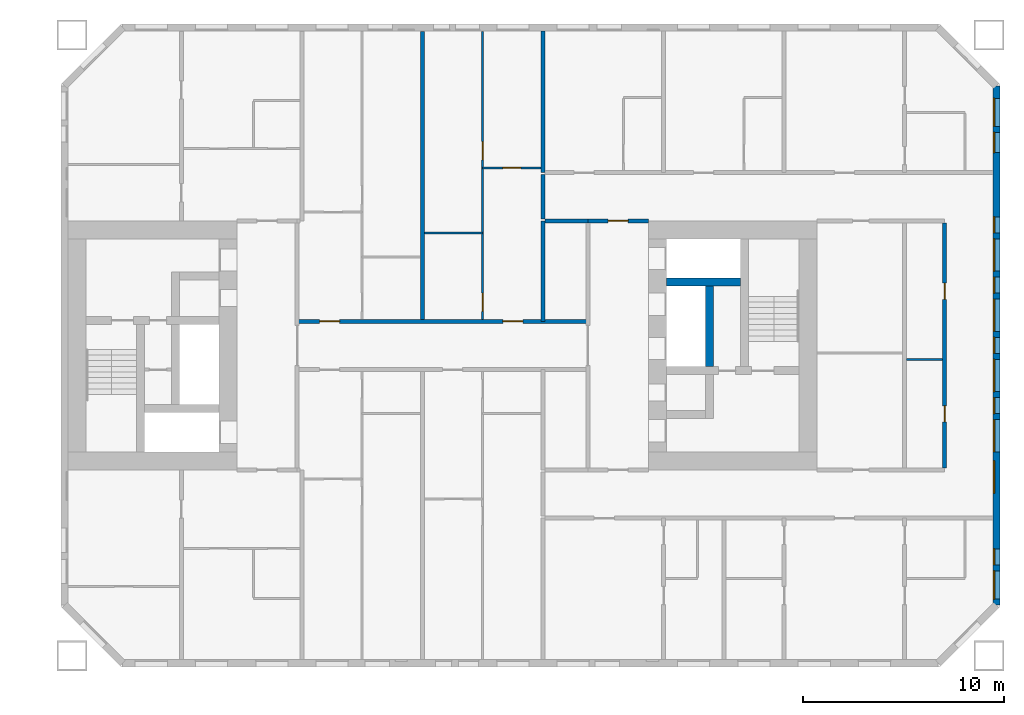
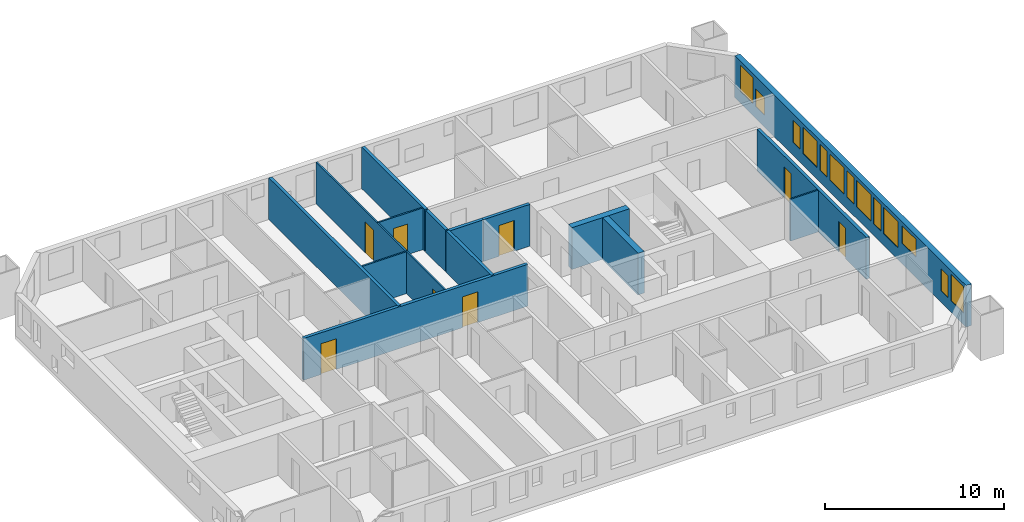
# One storey, part 14 of 18: 15 walls, 13 windows, 8 doors, 21 openings.
"""IFC4 building model written with IfcOpenShell, lengths in metres."""

from ifc_helpers import new_model, si_unit, direction, frame, frame_2d, origin, place, context, subcontext, project, spatial, rectangle, extrude, material, layer, layer_set, type_object, element, fill, save


model = new_model("IFC4")

# Units and contexts
model_context = context("Model", 3, precision=1e-05, world=origin(), true_north=direction((0.0, 1.0)))
body_context = subcontext(model_context, "Body", "Model", "MODEL_VIEW")
ifc_project = project(units=[si_unit("LENGTHUNIT", "METRE"), si_unit("AREAUNIT", "SQUARE_METRE"), si_unit("VOLUMEUNIT", "CUBIC_METRE"), si_unit("PLANEANGLEUNIT", "RADIAN"), si_unit("MASSUNIT", "GRAM", prefix="KILO")], contexts=[model_context])

# Site, building, storey
site_placement = place(None, origin())
site = spatial("IfcSite", under=ifc_project, at=site_placement, CompositionType="ELEMENT")
building_placement = place(site_placement, origin())
building = spatial("IfcBuilding", under=site, at=building_placement, Name="Tuart Gate Housing", CompositionType="ELEMENT")
storey_placement = place(building_placement, frame((0.0, 0.0, 31.89990234375)))
storey = spatial("IfcBuildingStorey", under=building, at=storey_placement, Name="L08", CompositionType="ELEMENT", Elevation=31.89990234375)

# Wall, openings, windows
ifc_material_1 = material(Name="Brick", Category="masonry")
ifc_layer_1 = layer(ifc_material_1, 0.360107421875)
ifc_layer_set_1 = layer_set([ifc_layer_1], Name="Brick pier and spandrel wall 360")
wall_type_1 = type_object("IfcWallType", Name="Brick pier and spandrel wall 360", PredefinedType="STANDARD", material=ifc_layer_set_1)
wall_1_placement = place(storey_placement, frame((177.570068359375, 57.07470703125, 0.0), z_axis=(0.0, 0.0, 1.0), x_axis=(0.0, 1.0, 0.0)))
wall_1 = element("IfcWall", 1, at=wall_1_placement, inside=storey, type_object=wall_type_1, Name="External wall B-E L08", PredefinedType="STANDARD", context=body_context, shape_type="SweptSolid", body=[
    extrude(rectangle(XDim=25.850830078125, YDim=0.360107421875, at=frame_2d((12.92529296875, 0.0))), origin(), (0.0, 0.0, 1.0), 2.85009765625),
])
opening_1_placement = place(wall_1_placement, frame((0.300048828125, 0.0, 0.800048828125)))
opening_1 = element("IfcOpeningElement", 2, at=opening_1_placement, cuts=wall_1, Name="Opening W1A", PredefinedType="OPENING", context=body_context, shape_type="SweptSolid", body=[
    extrude(rectangle(XDim=1.39990234375, YDim=1.800048828125, at=frame_2d((0.699951171875, 0.89990234375))), frame((0.0, 0.18994140625, 0.0), z_axis=(0.0, -1.0, 0.0), x_axis=(1.0, 0.0, 0.0)), (0.0, 0.0, 1.0), 0.380126953125),
])
opening_2_placement = place(wall_1_placement, frame((5.575439453125, 0.0, 1.39990234375)))
opening_2 = element("IfcOpeningElement", 3, at=opening_2_placement, cuts=wall_1, Name="Opening W1L", PredefinedType="OPENING", context=body_context, shape_type="SweptSolid", body=[
    extrude(rectangle(XDim=1.60009765625, YDim=1.199951171875, at=frame_2d((0.800048828125, 0.60009765625))), frame((0.0, 0.18994140625, 0.0), z_axis=(0.0, -1.0, 0.0), x_axis=(1.0, 0.0, 0.0)), (0.0, 0.0, 1.0), 0.380126953125),
])
opening_3_placement = place(wall_1_placement, frame((7.62548828125, 0.0, 0.800048828125)))
opening_3 = element("IfcOpeningElement", 4, at=opening_3_placement, cuts=wall_1, Name="Opening W1", PredefinedType="OPENING", context=body_context, shape_type="SweptSolid", body=[
    extrude(rectangle(XDim=1.60009765625, YDim=1.800048828125, at=frame_2d((0.800048828125, 0.89990234375))), frame((0.0, 0.18994140625, 0.0), z_axis=(0.0, -1.0, 0.0), x_axis=(1.0, 0.0, 0.0)), (0.0, 0.0, 1.0), 0.380126953125),
])
opening_4_placement = place(wall_1_placement, frame((10.62548828125, 0.0, 0.800048828125)))
opening_4 = element("IfcOpeningElement", 5, at=opening_4_placement, cuts=wall_1, Name="Opening W1", PredefinedType="OPENING", context=body_context, shape_type="SweptSolid", body=[
    extrude(rectangle(XDim=1.60009765625, YDim=1.800048828125, at=frame_2d((0.800048828125, 0.89990234375))), frame((0.0, 0.18994140625, 0.0), z_axis=(0.0, -1.0, 0.0), x_axis=(1.0, 0.0, 0.0)), (0.0, 0.0, 1.0), 0.380126953125),
])
opening_5_placement = place(wall_1_placement, frame((13.62548828125, 0.0, 0.800048828125)))
opening_5 = element("IfcOpeningElement", 6, at=opening_5_placement, cuts=wall_1, Name="Opening W1", PredefinedType="OPENING", context=body_context, shape_type="SweptSolid", body=[
    extrude(rectangle(XDim=1.60009765625, YDim=1.800048828125, at=frame_2d((0.800048828125, 0.89990234375))), frame((0.0, 0.18994140625, 0.0), z_axis=(0.0, -1.0, 0.0), x_axis=(1.0, 0.0, 0.0)), (0.0, 0.0, 1.0), 0.380126953125),
])
opening_6_placement = place(wall_1_placement, frame((16.62548828125, 0.0, 0.800048828125)))
opening_6 = element("IfcOpeningElement", 7, at=opening_6_placement, cuts=wall_1, Name="Opening W1", PredefinedType="OPENING", context=body_context, shape_type="SweptSolid", body=[
    extrude(rectangle(XDim=1.60009765625, YDim=1.800048828125, at=frame_2d((0.800048828125, 0.89990234375))), frame((0.0, 0.18994140625, 0.0), z_axis=(0.0, -1.0, 0.0), x_axis=(1.0, 0.0, 0.0)), (0.0, 0.0, 1.0), 0.380126953125),
])
opening_7_placement = place(wall_1_placement, frame((9.525390625, 0.0, 0.800048828125)))
opening_7 = element("IfcOpeningElement", 8, at=opening_7_placement, cuts=wall_1, Name="Opening W1D", PredefinedType="OPENING", context=body_context, shape_type="SweptSolid", body=[
    extrude(rectangle(XDim=0.800048828125, YDim=1.800048828125, at=frame_2d((0.39990234375, 0.89990234375))), frame((0.0, 0.18994140625, 0.0), z_axis=(0.0, -1.0, 0.0), x_axis=(1.0, 0.0, 0.0)), (0.0, 0.0, 1.0), 0.380126953125),
])
opening_8_placement = place(wall_1_placement, frame((22.525390625, 0.0, 0.800048828125)))
opening_8 = element("IfcOpeningElement", 9, at=opening_8_placement, cuts=wall_1, Name="Opening W1O", PredefinedType="OPENING", context=body_context, shape_type="SweptSolid", body=[
    extrude(rectangle(XDim=1.0, YDim=1.199951171875, at=frame_2d((0.5, 0.60009765625))), frame((0.0, 0.18994140625, 0.0), z_axis=(0.0, -1.0, 0.0), x_axis=(1.0, 0.0, 0.0)), (0.0, 0.0, 1.0), 0.380126953125),
])
opening_9_placement = place(wall_1_placement, frame((2.0, 0.0, 0.800048828125)))
opening_9 = element("IfcOpeningElement", 10, at=opening_9_placement, cuts=wall_1, Name="Opening W1J", PredefinedType="OPENING", context=body_context, shape_type="SweptSolid", body=[
    extrude(rectangle(XDim=0.800048828125, YDim=1.5, at=frame_2d((0.39990234375, 0.75))), frame((0.0, 0.18994140625, 0.0), z_axis=(0.0, -1.0, 0.0), x_axis=(1.0, 0.0, 0.0)), (0.0, 0.0, 1.0), 0.380126953125),
])
opening_10_placement = place(wall_1_placement, frame((12.525390625, 0.0, 0.800048828125)))
opening_10 = element("IfcOpeningElement", 11, at=opening_10_placement, cuts=wall_1, Name="Opening W1D", PredefinedType="OPENING", context=body_context, shape_type="SweptSolid", body=[
    extrude(rectangle(XDim=0.800048828125, YDim=1.800048828125, at=frame_2d((0.39990234375, 0.89990234375))), frame((0.0, 0.18994140625, 0.0), z_axis=(0.0, -1.0, 0.0), x_axis=(1.0, 0.0, 0.0)), (0.0, 0.0, 1.0), 0.380126953125),
])
opening_11_placement = place(wall_1_placement, frame((15.525390625, 0.0, 0.800048828125)))
opening_11 = element("IfcOpeningElement", 12, at=opening_11_placement, cuts=wall_1, Name="Opening W1D", PredefinedType="OPENING", context=body_context, shape_type="SweptSolid", body=[
    extrude(rectangle(XDim=0.800048828125, YDim=1.800048828125, at=frame_2d((0.39990234375, 0.89990234375))), frame((0.0, 0.18994140625, 0.0), z_axis=(0.0, -1.0, 0.0), x_axis=(1.0, 0.0, 0.0)), (0.0, 0.0, 1.0), 0.380126953125),
])
opening_12_placement = place(wall_1_placement, frame((18.525390625, 0.0, 0.89990234375)))
opening_12 = element("IfcOpeningElement", 13, at=opening_12_placement, cuts=wall_1, Name="Opening W1J", PredefinedType="OPENING", context=body_context, shape_type="SweptSolid", body=[
    extrude(rectangle(XDim=0.800048828125, YDim=1.5, at=frame_2d((0.39990234375, 0.75))), frame((0.0, 0.18994140625, 0.0), z_axis=(0.0, -1.0, 0.0), x_axis=(1.0, 0.0, 0.0)), (0.0, 0.0, 1.0), 0.380126953125),
])
opening_13_placement = place(wall_1_placement, frame((23.825439453125, 0.0, 0.800048828125)))
opening_13 = element("IfcOpeningElement", 14, at=opening_13_placement, cuts=wall_1, Name="Opening W1A", PredefinedType="OPENING", context=body_context, shape_type="SweptSolid", body=[
    extrude(rectangle(XDim=1.39990234375, YDim=1.800048828125, at=frame_2d((0.699951171875, 0.89990234375))), frame((0.0, 0.18994140625, 0.0), z_axis=(0.0, -1.0, 0.0), x_axis=(1.0, 0.0, 0.0)), (0.0, 0.0, 1.0), 0.380126953125),
])
ifc_material_2 = material(Name="Aluminium frame with clear glass", Category="aluminium")
window_type_1 = type_object("IfcWindowType", Name="Punched window 1000 x 1200", PartitioningType="SINGLE_PANEL", PredefinedType="WINDOW", material=ifc_material_2)
window_1_placement = place(opening_8_placement, origin())
window_1 = element("IfcWindow", 15, at=window_1_placement, inside=storey, type_object=window_type_1, Name="Window W1O", OverallHeight=1.199951171875, OverallWidth=1.0, PartitioningType="SINGLE_PANEL", PredefinedType="WINDOW", context=body_context, shape_type="SweptSolid", body=[
    extrude(rectangle(XDim=1.0, YDim=1.199951171875, at=frame_2d((0.5, 0.60009765625))), frame((0.0, 0.150146484375, 0.0), z_axis=(0.0, -1.0, 0.0), x_axis=(1.0, 0.0, 0.0)), (0.0, 0.0, 1.0), 0.06005859375),
])
fill(opening_8, window_1)
ifc_material_3 = material(Name="Aluminium frame with clear glass", Category="aluminium")
window_type_2 = type_object("IfcWindowType", Name="Punched window 1400 x 1800", PartitioningType="SINGLE_PANEL", PredefinedType="WINDOW", material=ifc_material_3)
window_2_placement = place(opening_1_placement, origin())
window_2 = element("IfcWindow", 16, at=window_2_placement, inside=storey, type_object=window_type_2, Name="Window W1A", OverallHeight=1.800048828125, OverallWidth=1.39990234375, PartitioningType="SINGLE_PANEL", PredefinedType="WINDOW", context=body_context, shape_type="SweptSolid", body=[
    extrude(rectangle(XDim=1.39990234375, YDim=1.800048828125, at=frame_2d((0.699951171875, 0.89990234375))), frame((0.0, 0.150146484375, 0.0), z_axis=(0.0, -1.0, 0.0), x_axis=(1.0, 0.0, 0.0)), (0.0, 0.0, 1.0), 0.06005859375),
])
fill(opening_1, window_2)
window_3_placement = place(opening_13_placement, origin())
window_3 = element("IfcWindow", 17, at=window_3_placement, inside=storey, type_object=window_type_2, Name="Window W1A", OverallHeight=1.800048828125, OverallWidth=1.39990234375, PartitioningType="SINGLE_PANEL", PredefinedType="WINDOW", context=body_context, shape_type="SweptSolid", body=[
    extrude(rectangle(XDim=1.39990234375, YDim=1.800048828125, at=frame_2d((0.699951171875, 0.89990234375))), frame((0.0, 0.150146484375, 0.0), z_axis=(0.0, -1.0, 0.0), x_axis=(1.0, 0.0, 0.0)), (0.0, 0.0, 1.0), 0.06005859375),
])
fill(opening_13, window_3)
ifc_material_4 = material(Name="Aluminium frame with clear glass", Category="aluminium")
window_type_3 = type_object("IfcWindowType", Name="Punched window 1600 x 1200", PartitioningType="SINGLE_PANEL", PredefinedType="WINDOW", material=ifc_material_4)
window_4_placement = place(opening_2_placement, origin())
window_4 = element("IfcWindow", 18, at=window_4_placement, inside=storey, type_object=window_type_3, Name="Window W1L", OverallHeight=1.199951171875, OverallWidth=1.60009765625, PartitioningType="SINGLE_PANEL", PredefinedType="WINDOW", context=body_context, shape_type="SweptSolid", body=[
    extrude(rectangle(XDim=1.60009765625, YDim=1.199951171875, at=frame_2d((0.800048828125, 0.60009765625))), frame((0.0, 0.150146484375, 0.0), z_axis=(0.0, -1.0, 0.0), x_axis=(1.0, 0.0, 0.0)), (0.0, 0.0, 1.0), 0.06005859375),
])
fill(opening_2, window_4)
ifc_material_5 = material(Name="Aluminium frame with clear glass", Category="aluminium")
window_type_4 = type_object("IfcWindowType", Name="Punched window 1600 x 1800", PartitioningType="SINGLE_PANEL", PredefinedType="WINDOW", material=ifc_material_5)
window_5_placement = place(opening_3_placement, origin())
window_5 = element("IfcWindow", 19, at=window_5_placement, inside=storey, type_object=window_type_4, Name="Window W1", OverallHeight=1.800048828125, OverallWidth=1.60009765625, PartitioningType="SINGLE_PANEL", PredefinedType="WINDOW", context=body_context, shape_type="SweptSolid", body=[
    extrude(rectangle(XDim=1.60009765625, YDim=1.800048828125, at=frame_2d((0.800048828125, 0.89990234375))), frame((0.0, 0.150146484375, 0.0), z_axis=(0.0, -1.0, 0.0), x_axis=(1.0, 0.0, 0.0)), (0.0, 0.0, 1.0), 0.06005859375),
])
fill(opening_3, window_5)
window_6_placement = place(opening_4_placement, origin())
window_6 = element("IfcWindow", 20, at=window_6_placement, inside=storey, type_object=window_type_4, Name="Window W1", OverallHeight=1.800048828125, OverallWidth=1.60009765625, PartitioningType="SINGLE_PANEL", PredefinedType="WINDOW", context=body_context, shape_type="SweptSolid", body=[
    extrude(rectangle(XDim=1.60009765625, YDim=1.800048828125, at=frame_2d((0.800048828125, 0.89990234375))), frame((0.0, 0.150146484375, 0.0), z_axis=(0.0, -1.0, 0.0), x_axis=(1.0, 0.0, 0.0)), (0.0, 0.0, 1.0), 0.06005859375),
])
fill(opening_4, window_6)
window_7_placement = place(opening_5_placement, origin())
window_7 = element("IfcWindow", 21, at=window_7_placement, inside=storey, type_object=window_type_4, Name="Window W1", OverallHeight=1.800048828125, OverallWidth=1.60009765625, PartitioningType="SINGLE_PANEL", PredefinedType="WINDOW", context=body_context, shape_type="SweptSolid", body=[
    extrude(rectangle(XDim=1.60009765625, YDim=1.800048828125, at=frame_2d((0.800048828125, 0.89990234375))), frame((0.0, 0.150146484375, 0.0), z_axis=(0.0, -1.0, 0.0), x_axis=(1.0, 0.0, 0.0)), (0.0, 0.0, 1.0), 0.06005859375),
])
fill(opening_5, window_7)
window_8_placement = place(opening_6_placement, origin())
window_8 = element("IfcWindow", 22, at=window_8_placement, inside=storey, type_object=window_type_4, Name="Window W1", OverallHeight=1.800048828125, OverallWidth=1.60009765625, PartitioningType="SINGLE_PANEL", PredefinedType="WINDOW", context=body_context, shape_type="SweptSolid", body=[
    extrude(rectangle(XDim=1.60009765625, YDim=1.800048828125, at=frame_2d((0.800048828125, 0.89990234375))), frame((0.0, 0.150146484375, 0.0), z_axis=(0.0, -1.0, 0.0), x_axis=(1.0, 0.0, 0.0)), (0.0, 0.0, 1.0), 0.06005859375),
])
fill(opening_6, window_8)
ifc_material_6 = material(Name="Aluminium frame with clear glass", Category="aluminium")
window_type_5 = type_object("IfcWindowType", Name="Punched window 800 x 1500", PartitioningType="SINGLE_PANEL", PredefinedType="WINDOW", material=ifc_material_6)
window_9_placement = place(opening_9_placement, origin())
window_9 = element("IfcWindow", 23, at=window_9_placement, inside=storey, type_object=window_type_5, Name="Window W1J", OverallHeight=1.5, OverallWidth=0.800048828125, PartitioningType="SINGLE_PANEL", PredefinedType="WINDOW", context=body_context, shape_type="SweptSolid", body=[
    extrude(rectangle(XDim=0.800048828125, YDim=1.5, at=frame_2d((0.39990234375, 0.75))), frame((0.0, 0.150146484375, 0.0), z_axis=(0.0, -1.0, 0.0), x_axis=(1.0, 0.0, 0.0)), (0.0, 0.0, 1.0), 0.06005859375),
])
fill(opening_9, window_9)
window_10_placement = place(opening_12_placement, origin())
window_10 = element("IfcWindow", 24, at=window_10_placement, inside=storey, type_object=window_type_5, Name="Window W1J", OverallHeight=1.5, OverallWidth=0.800048828125, PartitioningType="SINGLE_PANEL", PredefinedType="WINDOW", context=body_context, shape_type="SweptSolid", body=[
    extrude(rectangle(XDim=0.800048828125, YDim=1.5, at=frame_2d((0.39990234375, 0.75))), frame((0.0, 0.150146484375, 0.0), z_axis=(0.0, -1.0, 0.0), x_axis=(1.0, 0.0, 0.0)), (0.0, 0.0, 1.0), 0.06005859375),
])
fill(opening_12, window_10)
ifc_material_7 = material(Name="Aluminium frame with clear glass", Category="aluminium")
window_type_6 = type_object("IfcWindowType", Name="Punched window 800 x 1800", PartitioningType="SINGLE_PANEL", PredefinedType="WINDOW", material=ifc_material_7)
window_11_placement = place(opening_7_placement, origin())
window_11 = element("IfcWindow", 25, at=window_11_placement, inside=storey, type_object=window_type_6, Name="Window W1D", OverallHeight=1.800048828125, OverallWidth=0.800048828125, PartitioningType="SINGLE_PANEL", PredefinedType="WINDOW", context=body_context, shape_type="SweptSolid", body=[
    extrude(rectangle(XDim=0.800048828125, YDim=1.800048828125, at=frame_2d((0.39990234375, 0.89990234375))), frame((0.0, 0.150146484375, 0.0), z_axis=(0.0, -1.0, 0.0), x_axis=(1.0, 0.0, 0.0)), (0.0, 0.0, 1.0), 0.06005859375),
])
fill(opening_7, window_11)
window_12_placement = place(opening_10_placement, origin())
window_12 = element("IfcWindow", 26, at=window_12_placement, inside=storey, type_object=window_type_6, Name="Window W1D", OverallHeight=1.800048828125, OverallWidth=0.800048828125, PartitioningType="SINGLE_PANEL", PredefinedType="WINDOW", context=body_context, shape_type="SweptSolid", body=[
    extrude(rectangle(XDim=0.800048828125, YDim=1.800048828125, at=frame_2d((0.39990234375, 0.89990234375))), frame((0.0, 0.150146484375, 0.0), z_axis=(0.0, -1.0, 0.0), x_axis=(1.0, 0.0, 0.0)), (0.0, 0.0, 1.0), 0.06005859375),
])
fill(opening_10, window_12)
window_13_placement = place(opening_11_placement, origin())
window_13 = element("IfcWindow", 27, at=window_13_placement, inside=storey, type_object=window_type_6, Name="Window W1D", OverallHeight=1.800048828125, OverallWidth=0.800048828125, PartitioningType="SINGLE_PANEL", PredefinedType="WINDOW", context=body_context, shape_type="SweptSolid", body=[
    extrude(rectangle(XDim=0.800048828125, YDim=1.800048828125, at=frame_2d((0.39990234375, 0.89990234375))), frame((0.0, 0.150146484375, 0.0), z_axis=(0.0, -1.0, 0.0), x_axis=(1.0, 0.0, 0.0)), (0.0, 0.0, 1.0), 0.06005859375),
])
fill(opening_11, window_13)

# Walls
ifc_material_8 = material(Name="Concrete C60", Category="concrete")
ifc_layer_2 = layer(ifc_material_8, 0.39990234375)
ifc_layer_set_2 = layer_set([ifc_layer_2], Name="Core wall 400 C60")
wall_type_2 = type_object("IfcWallType", Name="Core wall 400 C60", PredefinedType="SHEAR", material=ifc_layer_set_2)
wall_2_placement = place(storey_placement, frame((161.139892578125, 73.14990234375, 0.0), z_axis=(0.0, 0.0, 1.0), x_axis=(1.0, 0.0, 0.0)))
element("IfcWall", 28, at=wall_2_placement, inside=storey, type_object=wall_type_2, Name="Core wall BK.1", PredefinedType="SHEAR", context=body_context, shape_type="SweptSolid", body=[
    extrude(rectangle(XDim=3.7001953125, YDim=0.39990234375, at=frame_2d((1.85009765625, 0.0))), origin(), (0.0, 0.0, 1.0), 2.85009765625),
])
wall_3_placement = place(storey_placement, frame((163.2900390625, 72.949951171875, 0.0), z_axis=(0.0, 0.0, 1.0), x_axis=(0.0, -1.0, 0.0)))
element("IfcWall", 29, at=wall_3_placement, inside=storey, type_object=wall_type_2, Name="Core wall BK.4", PredefinedType="SHEAR", context=body_context, shape_type="SweptSolid", body=[
    extrude(rectangle(XDim=4.0, YDim=0.39990234375, at=frame_2d((2.0, 0.0))), origin(), (0.0, 0.0, 1.0), 2.85009765625),
])

# Wall, openings, doors
ifc_material_9 = material(Name="Concrete masonry 15 MPa", Category="masonry")
ifc_layer_3 = layer(ifc_material_9, 0.199951171875)
ifc_layer_set_3 = layer_set([ifc_layer_3], Name="Corridor wall masonry 200")
wall_type_3 = type_object("IfcWallType", Name="Corridor wall masonry 200", PredefinedType="PARTITIONING", material=ifc_layer_set_3)
wall_4_placement = place(storey_placement, frame((142.760009765625, 71.199951171875, 0.0), z_axis=(0.0, 0.0, 1.0), x_axis=(1.0, 0.0, 0.0)))
wall_4 = element("IfcWall", 30, at=wall_4_placement, inside=storey, type_object=wall_type_3, Name="Corridor wall masonry 200", PredefinedType="PARTITIONING", context=body_context, shape_type="SweptSolid", body=[
    extrude(rectangle(XDim=14.47998046875, YDim=0.199951171875, at=frame_2d((7.239990234375, 0.0))), origin(), (0.0, 0.0, 1.0), 2.85009765625),
])
opening_14_placement = place(wall_4_placement, frame((1.1201171875, 0.0, 0.0)))
opening_14 = element("IfcOpeningElement", 31, at=opening_14_placement, cuts=wall_4, Name="Opening D554", PredefinedType="OPENING", context=body_context, shape_type="SweptSolid", body=[
    extrude(rectangle(XDim=1.0, YDim=2.10009765625, at=frame_2d((0.5, 1.050048828125))), frame((0.0, 0.10986328125, 0.0), z_axis=(0.0, -1.0, 0.0), x_axis=(1.0, 0.0, 0.0)), (0.0, 0.0, 1.0), 0.219970703125),
])
opening_15_placement = place(wall_4_placement, frame((10.239990234375, 0.0, 0.0)))
opening_15 = element("IfcOpeningElement", 32, at=opening_15_placement, cuts=wall_4, Name="Opening D555", PredefinedType="OPENING", context=body_context, shape_type="SweptSolid", body=[
    extrude(rectangle(XDim=1.0, YDim=2.10009765625, at=frame_2d((0.5, 1.050048828125))), frame((0.0, 0.10986328125, 0.0), z_axis=(0.0, -1.0, 0.0), x_axis=(1.0, 0.0, 0.0)), (0.0, 0.0, 1.0), 0.219970703125),
])
ifc_material_10 = material(Name="Timber door leaf in steel frame", Category="steel")
door_type_1 = type_object("IfcDoorType", Name="Flat entrance door 1000", OperationType="SINGLE_SWING_LEFT", PredefinedType="DOOR", material=ifc_material_10)
door_1_placement = place(opening_14_placement, origin())
door_1 = element("IfcDoor", 33, at=door_1_placement, inside=storey, type_object=door_type_1, Name="Flat entrance door", OperationType="SINGLE_SWING_LEFT", OverallHeight=2.10009765625, OverallWidth=1.0, PredefinedType="DOOR", context=body_context, shape_type="SweptSolid", body=[
    extrude(rectangle(XDim=1.0, YDim=2.10009765625, at=frame_2d((0.5, 1.050048828125))), frame((0.0, 0.02490234375, 0.0), z_axis=(0.0, -1.0, 0.0), x_axis=(1.0, 0.0, 0.0)), (0.0, 0.0, 1.0), 0.050048828125),
])
fill(opening_14, door_1)
door_2_placement = place(opening_15_placement, origin())
door_2 = element("IfcDoor", 34, at=door_2_placement, inside=storey, type_object=door_type_1, Name="Flat entrance door", OperationType="SINGLE_SWING_LEFT", OverallHeight=2.10009765625, OverallWidth=1.0, PredefinedType="DOOR", context=body_context, shape_type="SweptSolid", body=[
    extrude(rectangle(XDim=1.0, YDim=2.10009765625, at=frame_2d((0.5, 1.050048828125))), frame((0.0, 0.02490234375, 0.0), z_axis=(0.0, -1.0, 0.0), x_axis=(1.0, 0.0, 0.0)), (0.0, 0.0, 1.0), 0.050048828125),
])
fill(opening_15, door_2)

# Walls
wall_5_placement = place(storey_placement, frame((155.10009765625, 76.199951171875, 0.0), z_axis=(0.0, 0.0, 1.0), x_axis=(1.0, 0.0, 0.0)))
element("IfcWall", 35, at=wall_5_placement, inside=storey, type_object=wall_type_3, Name="Corridor wall masonry 200", PredefinedType="PARTITIONING", context=body_context, shape_type="SweptSolid", body=[
    extrude(rectangle(XDim=2.139892578125, YDim=0.199951171875, at=frame_2d((1.06982421875, 0.0))), origin(), (0.0, 0.0, 1.0), 2.85009765625),
])
wall_6_placement = place(storey_placement, frame((155.0, 76.300048828125, 0.0), z_axis=(0.0, 0.0, 1.0), x_axis=(0.0, 1.0, 0.0)))
element("IfcWall", 36, at=wall_6_placement, inside=storey, type_object=wall_type_3, Name="Corridor wall masonry 200", PredefinedType="PARTITIONING", context=body_context, shape_type="SweptSolid", body=[
    extrude(rectangle(XDim=2.199951171875, YDim=0.199951171875, at=frame_2d((1.10009765625, 0.0))), origin(), (0.0, 0.0, 1.0), 2.85009765625),
])

# Wall, openings, doors
wall_7_placement = place(storey_placement, frame((174.989990234375, 63.89990234375, 0.0), z_axis=(0.0, 0.0, 1.0), x_axis=(0.0, 1.0, 0.0)))
wall_7 = element("IfcWall", 37, at=wall_7_placement, inside=storey, type_object=wall_type_3, Name="Corridor wall masonry 200", PredefinedType="PARTITIONING", context=body_context, shape_type="SweptSolid", body=[
    extrude(rectangle(XDim=12.2001953125, YDim=0.199951171875, at=frame_2d((6.10009765625, 0.0))), origin(), (0.0, 0.0, 1.0), 2.85009765625),
])
opening_16_placement = place(wall_7_placement, frame((2.294921875, 0.0, 0.0)))
opening_16 = element("IfcOpeningElement", 38, at=opening_16_placement, cuts=wall_7, Name="Opening D562", PredefinedType="OPENING", context=body_context, shape_type="SweptSolid", body=[
    extrude(rectangle(XDim=0.800048828125, YDim=2.10009765625, at=frame_2d((0.39990234375, 1.050048828125))), frame((0.0, 0.10986328125, 0.0), z_axis=(0.0, -1.0, 0.0), x_axis=(1.0, 0.0, 0.0)), (0.0, 0.0, 1.0), 0.219970703125),
])
opening_17_placement = place(wall_7_placement, frame((8.39501953125, 0.0, 0.0)))
opening_17 = element("IfcOpeningElement", 39, at=opening_17_placement, cuts=wall_7, Name="Opening D563", PredefinedType="OPENING", context=body_context, shape_type="SweptSolid", body=[
    extrude(rectangle(XDim=0.800048828125, YDim=2.10009765625, at=frame_2d((0.39990234375, 1.050048828125))), frame((0.0, 0.10986328125, 0.0), z_axis=(0.0, -1.0, 0.0), x_axis=(1.0, 0.0, 0.0)), (0.0, 0.0, 1.0), 0.219970703125),
])
ifc_material_11 = material(Name="Timber door leaf in steel frame", Category="steel")
door_type_2 = type_object("IfcDoorType", Name="Store door 800", OperationType="SINGLE_SWING_LEFT", PredefinedType="DOOR", material=ifc_material_11)
door_3_placement = place(opening_17_placement, origin())
door_3 = element("IfcDoor", 40, at=door_3_placement, inside=storey, type_object=door_type_2, Name="Store door", OperationType="SINGLE_SWING_LEFT", OverallHeight=2.10009765625, OverallWidth=0.800048828125, PredefinedType="DOOR", context=body_context, shape_type="SweptSolid", body=[
    extrude(rectangle(XDim=0.800048828125, YDim=2.10009765625, at=frame_2d((0.39990234375, 1.050048828125))), frame((0.0, 0.02490234375, 0.0), z_axis=(0.0, -1.0, 0.0), x_axis=(1.0, 0.0, 0.0)), (0.0, 0.0, 1.0), 0.050048828125),
])
fill(opening_17, door_3)
ifc_material_12 = material(Name="Timber door leaf in steel frame", Category="steel")
door_type_3 = type_object("IfcDoorType", Name="Store door 800 RH", OperationType="SINGLE_SWING_RIGHT", PredefinedType="DOOR", material=ifc_material_12)
door_4_placement = place(opening_16_placement, origin())
door_4 = element("IfcDoor", 41, at=door_4_placement, inside=storey, type_object=door_type_3, Name="Store door", OperationType="SINGLE_SWING_RIGHT", OverallHeight=2.10009765625, OverallWidth=0.800048828125, PredefinedType="DOOR", context=body_context, shape_type="SweptSolid", body=[
    extrude(rectangle(XDim=0.800048828125, YDim=2.10009765625, at=frame_2d((0.39990234375, 1.050048828125))), frame((0.0, 0.02490234375, 0.0), z_axis=(0.0, -1.0, 0.0), x_axis=(1.0, 0.0, 0.0)), (0.0, 0.0, 1.0), 0.050048828125),
])
fill(opening_16, door_4)

# Wall, opening, door
ifc_material_13 = material(Name="Concrete masonry 15 MPa", Category="masonry")
ifc_layer_4 = layer(ifc_material_13, 0.199951171875)
ifc_layer_set_4 = layer_set([ifc_layer_4], Name="Enclosure wall masonry 200")
wall_type_4 = type_object("IfcWallType", Name="Enclosure wall masonry 200", PredefinedType="PARTITIONING", material=ifc_layer_set_4)
wall_8_placement = place(storey_placement, frame((157.239990234375, 76.199951171875, 0.0), z_axis=(0.0, 0.0, 1.0), x_axis=(1.0, 0.0, 0.0)))
wall_8 = element("IfcWall", 42, at=wall_8_placement, inside=storey, type_object=wall_type_4, Name="Enclosure wall masonry 200", PredefinedType="PARTITIONING", context=body_context, shape_type="SweptSolid", body=[
    extrude(rectangle(XDim=3.0, YDim=0.199951171875, at=frame_2d((1.5, 0.0))), origin(), (0.0, 0.0, 1.0), 2.85009765625),
])
opening_18_placement = place(wall_8_placement, frame((1.0, 0.0, 0.0)))
opening_18 = element("IfcOpeningElement", 43, at=opening_18_placement, cuts=wall_8, Name="Opening D550", PredefinedType="OPENING", context=body_context, shape_type="SweptSolid", body=[
    extrude(rectangle(XDim=1.0, YDim=2.10009765625, at=frame_2d((0.5, 1.050048828125))), frame((0.0, 0.10986328125, 0.0), z_axis=(0.0, -1.0, 0.0), x_axis=(1.0, 0.0, 0.0)), (0.0, 0.0, 1.0), 0.219970703125),
])
ifc_material_14 = material(Name="Timber door leaf in steel frame", Category="steel")
door_type_4 = type_object("IfcDoorType", Name="Fire door 1000", OperationType="SINGLE_SWING_LEFT", PredefinedType="DOOR", material=ifc_material_14)
door_5_placement = place(opening_18_placement, origin())
door_5 = element("IfcDoor", 44, at=door_5_placement, inside=storey, type_object=door_type_4, Name="Fire door", OperationType="SINGLE_SWING_LEFT", OverallHeight=2.10009765625, OverallWidth=1.0, PredefinedType="DOOR", context=body_context, shape_type="SweptSolid", body=[
    extrude(rectangle(XDim=1.0, YDim=2.10009765625, at=frame_2d((0.5, 1.050048828125))), frame((0.0, 0.02490234375, 0.0), z_axis=(0.0, -1.0, 0.0), x_axis=(1.0, 0.0, 0.0)), (0.0, 0.0, 1.0), 0.050048828125),
])
fill(opening_18, door_5)

# Walls
ifc_material_15 = material(Name="Gypsum board on steel studs", Category="steel")
ifc_layer_5 = layer(ifc_material_15, 0.10009765625)
ifc_layer_set_5 = layer_set([ifc_layer_5], Name="Partition 100")
wall_type_5 = type_object("IfcWallType", Name="Partition 100", PredefinedType="PARTITIONING", material=ifc_layer_set_5)
wall_9_placement = place(storey_placement, frame((173.10009765625, 69.2900390625, 0.0), z_axis=(0.0, 0.0, 1.0), x_axis=(1.0, 0.0, 0.0)))
element("IfcWall", 45, at=wall_9_placement, inside=storey, type_object=wall_type_5, Name="Partition 100", PredefinedType="PARTITIONING", context=body_context, shape_type="SweptSolid", body=[
    extrude(rectangle(XDim=1.789794921875, YDim=0.10009765625, at=frame_2d((0.89501953125, 0.0))), origin(), (0.0, 0.0, 1.0), 2.85009765625),
])
wall_10_placement = place(storey_placement, frame((149.10009765625, 75.60009765625, 0.0), z_axis=(0.0, 0.0, 1.0), x_axis=(1.0, 0.0, 0.0)))
element("IfcWall", 46, at=wall_10_placement, inside=storey, type_object=wall_type_5, Name="Partition 100", PredefinedType="PARTITIONING", context=body_context, shape_type="SweptSolid", body=[
    extrude(rectangle(XDim=2.89990234375, YDim=0.10009765625, at=frame_2d((1.449951171875, 0.0))), origin(), (0.0, 0.0, 1.0), 2.85009765625),
])

# Wall, opening, door
wall_11_placement = place(storey_placement, frame((152.0, 78.840087890625, 0.0), z_axis=(0.0, 0.0, 1.0), x_axis=(1.0, 0.0, 0.0)))
wall_11 = element("IfcWall", 47, at=wall_11_placement, inside=storey, type_object=wall_type_5, Name="Partition 100", PredefinedType="PARTITIONING", context=body_context, shape_type="SweptSolid", body=[
    extrude(rectangle(XDim=2.89990234375, YDim=0.10009765625, at=frame_2d((1.449951171875, 0.0))), origin(), (0.0, 0.0, 1.0), 2.85009765625),
])
opening_19_placement = place(wall_11_placement, frame((1.0, 0.0, 0.0)))
opening_19 = element("IfcOpeningElement", 48, at=opening_19_placement, cuts=wall_11, Name="Opening D540", PredefinedType="OPENING", context=body_context, shape_type="SweptSolid", body=[
    extrude(rectangle(XDim=0.89990234375, YDim=2.10009765625, at=frame_2d((0.449951171875, 1.050048828125))), frame((0.0, 0.06005859375, 0.0), z_axis=(0.0, -1.0, 0.0), x_axis=(1.0, 0.0, 0.0)), (0.0, 0.0, 1.0), 0.1201171875),
])
ifc_material_16 = material(Name="Timber door leaf in steel frame", Category="steel")
door_type_5 = type_object("IfcDoorType", Name="Internal door 900 RH", OperationType="SINGLE_SWING_RIGHT", PredefinedType="DOOR", material=ifc_material_16)
door_6_placement = place(opening_19_placement, frame((0.89990234375, 0.0, 0.0), z_axis=(0.0, 0.0, 1.0), x_axis=(-1.0, 0.0, 0.0)))
door_6 = element("IfcDoor", 49, at=door_6_placement, inside=storey, type_object=door_type_5, Name="Internal door", OperationType="SINGLE_SWING_RIGHT", OverallHeight=2.10009765625, OverallWidth=0.89990234375, PredefinedType="DOOR", context=body_context, shape_type="SweptSolid", body=[
    extrude(rectangle(XDim=0.89990234375, YDim=2.10009765625, at=frame_2d((0.449951171875, 1.050048828125))), frame((0.0, 0.025146484375, 0.0), z_axis=(0.0, -1.0, 0.0), x_axis=(1.0, 0.0, 0.0)), (0.0, 0.0, 1.0), 0.050048828125),
])
fill(opening_19, door_6)

# Wall, openings, doors
wall_12_placement = place(storey_placement, frame((152.0, 71.300048828125, 0.0), z_axis=(0.0, 0.0, 1.0), x_axis=(0.0, 1.0, 0.0)))
wall_12 = element("IfcWall", 50, at=wall_12_placement, inside=storey, type_object=wall_type_5, Name="Partition 100", PredefinedType="PARTITIONING", context=body_context, shape_type="SweptSolid", body=[
    extrude(rectangle(XDim=14.33984375, YDim=0.10009765625, at=frame_2d((7.169921875, 0.0))), origin(), (0.0, 0.0, 1.0), 2.85009765625),
])
opening_20_placement = place(wall_12_placement, frame((7.93994140625, 0.0, 0.0)))
opening_20 = element("IfcOpeningElement", 51, at=opening_20_placement, cuts=wall_12, Name="Opening D547", PredefinedType="OPENING", context=body_context, shape_type="SweptSolid", body=[
    extrude(rectangle(XDim=0.89990234375, YDim=2.10009765625, at=frame_2d((0.449951171875, 1.050048828125))), frame((0.0, 0.06005859375, 0.0), z_axis=(0.0, -1.0, 0.0), x_axis=(1.0, 0.0, 0.0)), (0.0, 0.0, 1.0), 0.1201171875),
])
opening_21_placement = place(wall_12_placement, frame((0.39990234375, 0.0, 0.0)))
opening_21 = element("IfcOpeningElement", 52, at=opening_21_placement, cuts=wall_12, Name="Opening D546", PredefinedType="OPENING", context=body_context, shape_type="SweptSolid", body=[
    extrude(rectangle(XDim=0.89990234375, YDim=2.10009765625, at=frame_2d((0.449951171875, 1.050048828125))), frame((0.0, 0.06005859375, 0.0), z_axis=(0.0, -1.0, 0.0), x_axis=(1.0, 0.0, 0.0)), (0.0, 0.0, 1.0), 0.1201171875),
])
ifc_material_17 = material(Name="Timber door leaf in steel frame", Category="steel")
door_type_6 = type_object("IfcDoorType", Name="Bathroom door 900", OperationType="SINGLE_SWING_LEFT", PredefinedType="DOOR", material=ifc_material_17)
door_7_placement = place(opening_21_placement, origin())
door_7 = element("IfcDoor", 53, at=door_7_placement, inside=storey, type_object=door_type_6, Name="Bathroom door", OperationType="SINGLE_SWING_LEFT", OverallHeight=2.10009765625, OverallWidth=0.89990234375, PredefinedType="DOOR", context=body_context, shape_type="SweptSolid", body=[
    extrude(rectangle(XDim=0.89990234375, YDim=2.10009765625, at=frame_2d((0.449951171875, 1.050048828125))), frame((0.0, 0.02490234375, 0.0), z_axis=(0.0, -1.0, 0.0), x_axis=(1.0, 0.0, 0.0)), (0.0, 0.0, 1.0), 0.050048828125),
])
fill(opening_21, door_7)
ifc_material_18 = material(Name="Timber door leaf in steel frame", Category="steel")
door_type_7 = type_object("IfcDoorType", Name="Internal door 900", OperationType="SINGLE_SWING_LEFT", PredefinedType="DOOR", material=ifc_material_18)
door_8_placement = place(opening_20_placement, origin())
door_8 = element("IfcDoor", 54, at=door_8_placement, inside=storey, type_object=door_type_7, Name="Internal door", OperationType="SINGLE_SWING_LEFT", OverallHeight=2.10009765625, OverallWidth=0.89990234375, PredefinedType="DOOR", context=body_context, shape_type="SweptSolid", body=[
    extrude(rectangle(XDim=0.89990234375, YDim=2.10009765625, at=frame_2d((0.449951171875, 1.050048828125))), frame((0.0, 0.02490234375, 0.0), z_axis=(0.0, -1.0, 0.0), x_axis=(1.0, 0.0, 0.0)), (0.0, 0.0, 1.0), 0.050048828125),
])
fill(opening_20, door_8)

# Walls
ifc_material_19 = material(Name="Concrete C40", Category="concrete")
ifc_layer_6 = layer(ifc_material_19, 0.199951171875)
ifc_layer_set_6 = layer_set([ifc_layer_6], Name="Party wall concrete C40 200")
wall_type_6 = type_object("IfcWallType", Name="Party wall concrete C40 200", PredefinedType="SOLIDWALL", material=ifc_layer_set_6)
wall_13_placement = place(storey_placement, frame((149.0, 71.199951171875, 0.0), z_axis=(0.0, 0.0, 1.0), x_axis=(0.0, 1.0, 0.0)))
element("IfcWall", 55, at=wall_13_placement, inside=storey, type_object=wall_type_6, Name="Party wall concrete C40 200", PredefinedType="SOLIDWALL", context=body_context, shape_type="SweptSolid", body=[
    extrude(rectangle(XDim=14.43994140625, YDim=0.199951171875, at=frame_2d((7.219970703125, 0.0))), origin(), (0.0, 0.0, 1.0), 2.85009765625),
])
wall_14_placement = place(storey_placement, frame((155.0, 71.199951171875, 0.0), z_axis=(0.0, 0.0, 1.0), x_axis=(0.0, 1.0, 0.0)))
element("IfcWall", 56, at=wall_14_placement, inside=storey, type_object=wall_type_6, Name="Party wall concrete C40 200", PredefinedType="SOLIDWALL", context=body_context, shape_type="SweptSolid", body=[
    extrude(rectangle(XDim=5.0, YDim=0.199951171875, at=frame_2d((2.5, 0.0))), origin(), (0.0, 0.0, 1.0), 2.85009765625),
])
wall_15_placement = place(storey_placement, frame((155.0, 78.60009765625, 0.0), z_axis=(0.0, 0.0, 1.0), x_axis=(0.0, 1.0, 0.0)))
element("IfcWall", 57, at=wall_15_placement, inside=storey, type_object=wall_type_6, Name="Party wall concrete C40 200", PredefinedType="SOLIDWALL", context=body_context, shape_type="SweptSolid", body=[
    extrude(rectangle(XDim=7.039794921875, YDim=0.199951171875, at=frame_2d((3.52001953125, 0.0))), origin(), (0.0, 0.0, 1.0), 2.85009765625),
])

save(model, "model.ifc")
